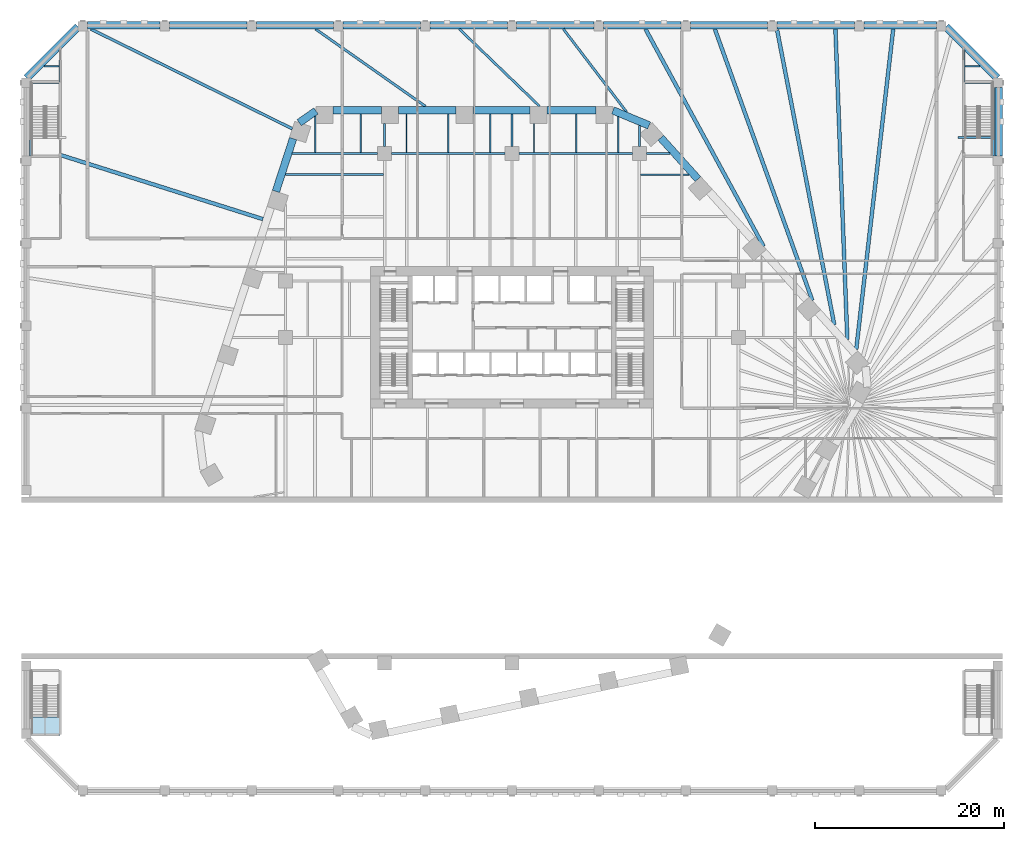
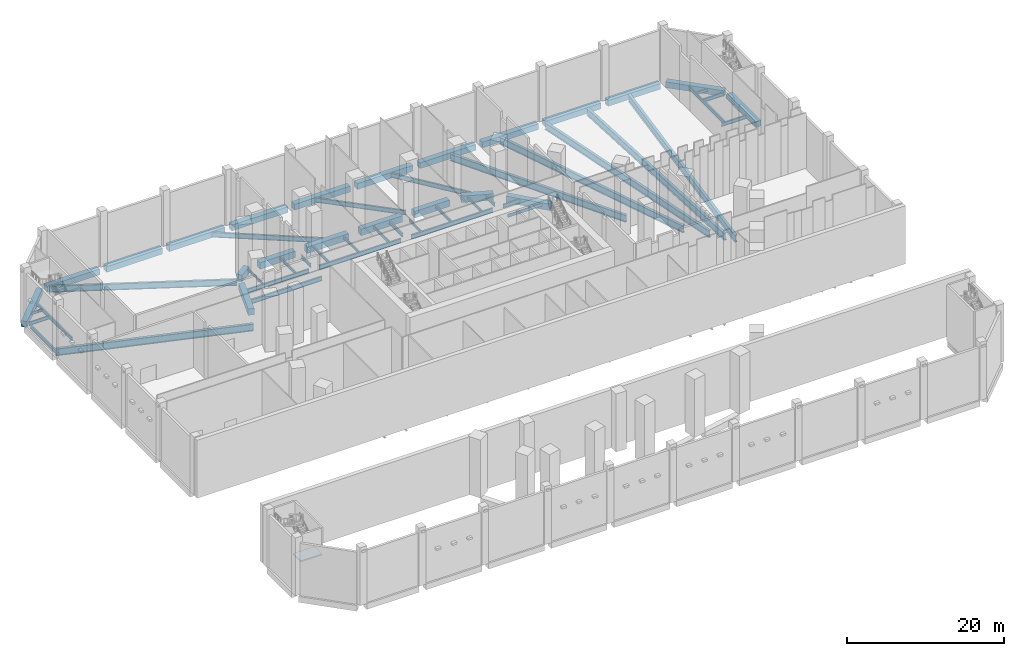
# One storey, part 4 of 23: 57 beams, 1 slab, 1 element without a shape of its own.
"""IFC4 building model written with IfcOpenShell, lengths in metres."""

from ifc_helpers import new_model, si_unit, direction, frame, origin, origin_2d, place, context, subcontext, project, spatial, polyline, rectangle, i_section, outline, extrude, material, layer, layer_set, material_profile, profile_set, type_object, element, aggregate, save


model = new_model("IFC4")

# Units and contexts
model_context = context("Model", 3, precision=1e-05, world=origin(), true_north=direction((0.0, 1.0)))
body_context = subcontext(model_context, "Body", "Model", "MODEL_VIEW")
ifc_project = project(units=[si_unit("LENGTHUNIT", "METRE"), si_unit("AREAUNIT", "SQUARE_METRE"), si_unit("VOLUMEUNIT", "CUBIC_METRE"), si_unit("PLANEANGLEUNIT", "RADIAN"), si_unit("MASSUNIT", "GRAM", prefix="KILO")], contexts=[model_context])

# Site, building, storey
site_placement = place(None, origin())
site = spatial("IfcSite", under=ifc_project, at=site_placement, CompositionType="ELEMENT")
building_placement = place(site_placement, origin())
building = spatial("IfcBuilding", under=site, at=building_placement, Name="Isthmus Gate Tower", CompositionType="ELEMENT")
storey_placement = place(building_placement, frame((0.0, 0.0, 9.0)))
storey = spatial("IfcBuildingStorey", under=building, at=storey_placement, Name="L01", CompositionType="ELEMENT", Elevation=9.0)

# Beams
ifc_material_1 = material(Name="Concrete f'c 70 MPa", Category="concrete")
ifc_material_profile_1 = material_profile(ifc_material_1, rectangle(XDim=0.800048828125, YDim=0.89990234375, at=origin_2d()), Name="RC 800X900")
ifc_profile_set_1 = profile_set([ifc_material_profile_1], Name="Concrete f'c 70 MPa")
beam_type_1 = type_object("IfcBeamType", Name="RC EDGE BEAM 800 X 900", PredefinedType="BEAM", material=ifc_profile_set_1)
beam_1_placement = place(storey_placement, frame((-51.434326171875, 35.0, -0.85009765625), z_axis=(0.707106781187, 0.707106781187, 0.0), x_axis=(-0.707106781187, 0.707106781187, 0.0)))
element("IfcBeam", 1, at=beam_1_placement, inside=storey, type_object=beam_type_1, Name="str-edgebeam-L01-08", PredefinedType="BEAM", context=body_context, shape_type="SweptSolid", body=[
    extrude(rectangle(XDim=0.800048828125, YDim=0.89990234375, at=origin_2d()), origin(), (0.0, 0.0, 1.0), 7.685302734375),
])
beam_2_placement = place(storey_placement, frame((-45.0, 40.60009765625, -0.85009765625), z_axis=(1.0, 0.0, 0.0), x_axis=(0.0, 1.0, 0.0)))
element("IfcBeam", 2, at=beam_2_placement, inside=storey, type_object=beam_type_1, Name="str-edgebeam-L01-09", PredefinedType="BEAM", context=body_context, shape_type="SweptSolid", body=[
    extrude(rectangle(XDim=0.800048828125, YDim=0.89990234375, at=origin_2d()), origin(), (0.0, 0.0, 1.0), 7.699951171875),
])
beam_3_placement = place(storey_placement, frame((-36.300048828125, 40.60009765625, -0.85009765625), z_axis=(1.0, 0.0, 0.0), x_axis=(0.0, 1.0, 0.0)))
element("IfcBeam", 3, at=beam_3_placement, inside=storey, type_object=beam_type_1, Name="str-edgebeam-L01-10", PredefinedType="BEAM", context=body_context, shape_type="SweptSolid", body=[
    extrude(rectangle(XDim=0.800048828125, YDim=0.89990234375, at=origin_2d()), origin(), (0.0, 0.0, 1.0), 8.199951171875),
])
beam_4_placement = place(storey_placement, frame((-27.10009765625, 40.60009765625, -0.85009765625), z_axis=(1.0, 0.0, 0.0), x_axis=(0.0, 1.0, 0.0)))
element("IfcBeam", 4, at=beam_4_placement, inside=storey, type_object=beam_type_1, Name="str-edgebeam-L01-11", PredefinedType="BEAM", context=body_context, shape_type="SweptSolid", body=[
    extrude(rectangle(XDim=0.800048828125, YDim=0.89990234375, at=origin_2d()), origin(), (0.0, 0.0, 1.0), 8.2001953125),
])
for number, where, z_axis, x_axis, name in (
    (5, (-17.89990234375, 40.60009765625, -0.85009765625), (1.0, 0.0, 0.0), (0.0, 1.0, 0.0), "str-edgebeam-L01-12"),
    (6, (-8.699951171875, 40.60009765625, -0.85009765625), (1.0, 0.0, 0.0), (0.0, 1.0, 0.0), "str-edgebeam-L01-13"),
    (7, (0.5, 40.60009765625, -0.85009765625), (1.0, 0.0, 0.0), (0.0, 1.0, 0.0), "str-edgebeam-L01-14"),
    (8, (9.699951171875, 40.60009765625, -0.85009765625), (1.0, 0.0, 0.0), (0.0, 1.0, 0.0), "str-edgebeam-L01-15"),
):
    element("IfcBeam", number, at=place(storey_placement, frame(where, z_axis=z_axis, x_axis=x_axis)), inside=storey, type_object=beam_type_1, Name=name, PredefinedType="BEAM", context=body_context, shape_type="SweptSolid", body=[
        extrude(rectangle(XDim=0.800048828125, YDim=0.89990234375, at=origin_2d()), origin(), (0.0, 0.0, 1.0), 8.199951171875),
    ])
beam_5_placement = place(storey_placement, frame((18.89990234375, 40.60009765625, -0.85009765625), z_axis=(1.0, 0.0, 0.0), x_axis=(0.0, 1.0, 0.0)))
element("IfcBeam", 9, at=beam_5_placement, inside=storey, type_object=beam_type_1, Name="str-edgebeam-L01-16", PredefinedType="BEAM", context=body_context, shape_type="SweptSolid", body=[
    extrude(rectangle(XDim=0.800048828125, YDim=0.89990234375, at=origin_2d()), origin(), (0.0, 0.0, 1.0), 8.2001953125),
])
beam_6_placement = place(storey_placement, frame((28.10009765625, 40.60009765625, -0.85009765625), z_axis=(1.0, 0.0, 0.0), x_axis=(0.0, 1.0, 0.0)))
element("IfcBeam", 10, at=beam_6_placement, inside=storey, type_object=beam_type_1, Name="str-edgebeam-L01-17", PredefinedType="BEAM", context=body_context, shape_type="SweptSolid", body=[
    extrude(rectangle(XDim=0.800048828125, YDim=0.89990234375, at=origin_2d()), origin(), (0.0, 0.0, 1.0), 8.199951171875),
])
beam_7_placement = place(storey_placement, frame((37.300048828125, 40.60009765625, -0.85009765625), z_axis=(1.0, 0.0, 0.0), x_axis=(0.0, 1.0, 0.0)))
element("IfcBeam", 11, at=beam_7_placement, inside=storey, type_object=beam_type_1, Name="str-edgebeam-L01-18", PredefinedType="BEAM", context=body_context, shape_type="SweptSolid", body=[
    extrude(rectangle(XDim=0.800048828125, YDim=0.89990234375, at=origin_2d()), origin(), (0.0, 0.0, 1.0), 7.699951171875),
])
beam_8_placement = place(storey_placement, frame((46.0, 40.434326171875, -0.85009765625), z_axis=(0.707106781187, -0.707106781187, 0.0), x_axis=(0.707106781187, 0.707106781187, 0.0)))
element("IfcBeam", 12, at=beam_8_placement, inside=storey, type_object=beam_type_1, Name="str-edgebeam-L01-19", PredefinedType="BEAM", context=body_context, shape_type="SweptSolid", body=[
    extrude(rectangle(XDim=0.800048828125, YDim=0.89990234375, at=origin_2d()), origin(), (0.0, 0.0, 1.0), 7.685302734375),
])
beam_9_placement = place(storey_placement, frame((51.60009765625, 34.0, -0.85009765625), z_axis=(0.0, -1.0, 0.0), x_axis=(1.0, 0.0, 0.0)))
element("IfcBeam", 13, at=beam_9_placement, inside=storey, type_object=beam_type_1, Name="str-edgebeam-L01-20", PredefinedType="BEAM", context=body_context, shape_type="SweptSolid", body=[
    extrude(rectangle(XDim=0.800048828125, YDim=0.89990234375, at=origin_2d()), origin(), (0.0, 0.0, 1.0), 7.25),
])
ifc_material_2 = material(Name="Concrete f'c 70 MPa", Category="concrete")
ifc_material_profile_2 = material_profile(ifc_material_2, rectangle(XDim=0.800048828125, YDim=1.0, at=origin_2d()), Name="RC 800X1000")
ifc_profile_set_2 = profile_set([ifc_material_profile_2], Name="Concrete f'c 70 MPa")
beam_type_2 = type_object("IfcBeamType", Name="RC TUBE RING BEAM 800 X 1000", PredefinedType="BEAM", material=ifc_profile_set_2)
beam_10_placement = place(storey_placement, frame((10.701904296875, 31.56689453125, -0.89990234375), z_axis=(0.923334166719, -0.383997417399, 0.0), x_axis=(0.383997417399, 0.923334166719, 0.0)))
element("IfcBeam", 14, at=beam_10_placement, inside=storey, type_object=beam_type_2, Name="str-ringbeam-L01-00", PredefinedType="BEAM", context=body_context, shape_type="SweptSolid", body=[
    extrude(rectangle(XDim=0.800048828125, YDim=1.0, at=origin_2d()), origin(), (0.0, 0.0, 1.0), 4.15234375),
])
for number, where, z_axis, x_axis, name in (
    (15, (15.772216796875, 28.66357421875, -0.89990234375), (0.669141061586, -0.743135411415, 0.0), (0.743135411415, 0.669141061586, 0.0), "str-ringbeam-L01-01"),
    (16, (-25.02490234375, 22.978271484375, -0.89990234375), (0.309042953764, 0.951048081187, 0.0), (-0.951048081187, 0.309042953764, 0.0), "str-ringbeam-L01-18"),
):
    element("IfcBeam", number, at=place(storey_placement, frame(where, z_axis=z_axis, x_axis=x_axis)), inside=storey, type_object=beam_type_2, Name=name, PredefinedType="BEAM", context=body_context, shape_type="SweptSolid", body=[
        extrude(rectangle(XDim=0.800048828125, YDim=1.0, at=origin_2d()), origin(), (0.0, 0.0, 1.0), 5.889404296875),
    ])
beam_11_placement = place(storey_placement, frame((-22.553466796875, 30.260498046875, -0.89990234375), z_axis=(0.817857331203, 0.575421050882, 0.0), x_axis=(-0.575421050882, 0.817857331203, 0.0)))
element("IfcBeam", 17, at=beam_11_placement, inside=storey, type_object=beam_type_2, Name="str-ringbeam-L01-19", PredefinedType="BEAM", context=body_context, shape_type="SweptSolid", body=[
    extrude(rectangle(XDim=0.800048828125, YDim=1.0, at=origin_2d()), origin(), (0.0, 0.0, 1.0), 2.173095703125),
])
beam_12_placement = place(storey_placement, frame((-18.976318359375, 31.60009765625, -0.89990234375), z_axis=(1.0, 0.0, 0.0), x_axis=(0.0, 1.0, 0.0)))
element("IfcBeam", 18, at=beam_12_placement, inside=storey, type_object=beam_type_2, Name="str-ringbeam-L01-20", PredefinedType="BEAM", context=body_context, shape_type="SweptSolid", body=[
    extrude(rectangle(XDim=0.800048828125, YDim=1.0, at=origin_2d()), origin(), (0.0, 0.0, 1.0), 5.169677734375),
])
beam_13_placement = place(storey_placement, frame((-12.006591796875, 31.60009765625, -0.89990234375), z_axis=(1.0, 0.0, 0.0), x_axis=(0.0, 1.0, 0.0)))
element("IfcBeam", 19, at=beam_13_placement, inside=storey, type_object=beam_type_2, Name="str-ringbeam-L01-21", PredefinedType="BEAM", context=body_context, shape_type="SweptSolid", body=[
    extrude(rectangle(XDim=0.800048828125, YDim=1.0, at=origin_2d()), origin(), (0.0, 0.0, 1.0), 6.0693359375),
])
beam_14_placement = place(storey_placement, frame((-4.13720703125, 31.60009765625, -0.89990234375), z_axis=(1.0, 0.0, 0.0), x_axis=(0.0, 1.0, 0.0)))
element("IfcBeam", 20, at=beam_14_placement, inside=storey, type_object=beam_type_2, Name="str-ringbeam-L01-22", PredefinedType="BEAM", context=body_context, shape_type="SweptSolid", body=[
    extrude(rectangle(XDim=0.800048828125, YDim=1.0, at=origin_2d()), origin(), (0.0, 0.0, 1.0), 6.069580078125),
])
beam_15_placement = place(storey_placement, frame((3.732421875, 31.60009765625, -0.89990234375), z_axis=(1.0, 0.0, 0.0), x_axis=(0.0, 1.0, 0.0)))
element("IfcBeam", 21, at=beam_15_placement, inside=storey, type_object=beam_type_2, Name="str-ringbeam-L01-23", PredefinedType="BEAM", context=body_context, shape_type="SweptSolid", body=[
    extrude(rectangle(XDim=0.800048828125, YDim=1.0, at=origin_2d()), origin(), (0.0, 0.0, 1.0), 5.16943359375),
])
ifc_material_3 = material(Name="Structural steel ASTM A992 Gr 50", Category="steel")
ifc_material_profile_3 = material_profile(ifc_material_3, i_section(OverallWidth=0.1396484375, OverallDepth=0.4033203125, WebThickness=0.00634765625, FlangeThickness=0.010986328125, at=origin_2d()), Name="W16X31")
ifc_profile_set_3 = profile_set([ifc_material_profile_3], Name="Structural steel ASTM A992 Gr 50")
beam_type_3 = type_object("IfcBeamType", Name="STEEL FLOOR BEAM W16X31", PredefinedType="JOIST", material=ifc_profile_set_3)
beam_16_placement = place(storey_placement, frame((-49.616943359375, 36.25146484375, -0.6015625), z_axis=(1.0, 0.0, 0.0), x_axis=(0.0, 1.0, 0.0)))
element("IfcBeam", 22, at=beam_16_placement, inside=storey, type_object=beam_type_3, Name="str-beam-L01-05-00", PredefinedType="JOIST", context=body_context, shape_type="SweptSolid", body=[
    extrude(i_section(OverallWidth=0.1396484375, OverallDepth=0.4033203125, WebThickness=0.00634765625, FlangeThickness=0.010986328125, at=origin_2d()), origin(), (0.0, 0.0, 1.0), 1.616943359375),
])
beam_17_placement = place(storey_placement, frame((-20.846435546875, 27.1142578125, -0.6015625), z_axis=(0.0, 1.0, 0.0), x_axis=(-1.0, 0.0, 0.0)))
element("IfcBeam", 23, at=beam_17_placement, inside=storey, type_object=beam_type_3, Name="str-beam-L01-09-00", PredefinedType="JOIST", context=body_context, shape_type="SweptSolid", body=[
    extrude(i_section(OverallWidth=0.1396484375, OverallDepth=0.4033203125, WebThickness=0.00634765625, FlangeThickness=0.010986328125, at=origin_2d()), origin(), (0.0, 0.0, 1.0), 3.858154296875),
])
beam_18_placement = place(storey_placement, frame((2.33740234375, 27.126953125, -0.6015625), z_axis=(0.0, 1.0, 0.0), x_axis=(-1.0, 0.0, 0.0)))
element("IfcBeam", 24, at=beam_18_placement, inside=storey, type_object=beam_type_3, Name="str-beam-L01-14-00", PredefinedType="JOIST", context=body_context, shape_type="SweptSolid", body=[
    extrude(i_section(OverallWidth=0.1396484375, OverallDepth=0.4033203125, WebThickness=0.00634765625, FlangeThickness=0.010986328125, at=origin_2d()), origin(), (0.0, 0.0, 1.0), 3.072998046875),
])
beam_19_placement = place(storey_placement, frame((11.267578125, 27.126953125, -0.6015625), z_axis=(0.0, 1.0, 0.0), x_axis=(-1.0, 0.0, 0.0)))
element("IfcBeam", 25, at=beam_19_placement, inside=storey, type_object=beam_type_3, Name="str-beam-L01-14-02", PredefinedType="JOIST", context=body_context, shape_type="SweptSolid", body=[
    extrude(i_section(OverallWidth=0.1396484375, OverallDepth=0.4033203125, WebThickness=0.00634765625, FlangeThickness=0.010986328125, at=origin_2d()), origin(), (0.0, 0.0, 1.0), 3.771484375),
])
beam_20_placement = place(storey_placement, frame((48.0, 36.25146484375, -0.6015625), z_axis=(1.0, 0.0, 0.0), x_axis=(0.0, 1.0, 0.0)))
element("IfcBeam", 26, at=beam_20_placement, inside=storey, type_object=beam_type_3, Name="str-beam-L01-22-00", PredefinedType="JOIST", context=body_context, shape_type="SweptSolid", body=[
    extrude(i_section(OverallWidth=0.1396484375, OverallDepth=0.4033203125, WebThickness=0.00634765625, FlangeThickness=0.010986328125, at=origin_2d()), origin(), (0.0, 0.0, 1.0), 1.616943359375),
])
ifc_material_4 = material(Name="Structural steel ASTM A992 Gr 50", Category="steel")
ifc_material_profile_4 = material_profile(ifc_material_4, i_section(OverallWidth=0.15234375, OverallDepth=0.45068359375, WebThickness=0.0078125, FlangeThickness=0.010986328125, at=origin_2d()), Name="W18X35")
ifc_profile_set_4 = profile_set([ifc_material_profile_4], Name="Structural steel ASTM A992 Gr 50")
beam_type_4 = type_object("IfcBeamType", Name="STEEL FLOOR BEAM W18X35", PredefinedType="JOIST", material=ifc_profile_set_4)
beam_21_placement = place(storey_placement, frame((-16.0185546875, 27.1142578125, -0.62548828125), z_axis=(0.0, 1.0, 0.0), x_axis=(-1.0, 0.0, 0.0)))
element("IfcBeam", 27, at=beam_21_placement, inside=storey, type_object=beam_type_4, Name="str-beam-L01-09-01", PredefinedType="JOIST", context=body_context, shape_type="SweptSolid", body=[
    extrude(i_section(OverallWidth=0.15234375, OverallDepth=0.45068359375, WebThickness=0.0078125, FlangeThickness=0.010986328125, at=origin_2d()), origin(), (0.0, 0.0, 1.0), 4.085693359375),
])
for number, where, z_axis, x_axis, name in (
    (28, (-11.18017578125, 27.126953125, -0.62548828125), (0.0, 1.0, 0.0), (-1.0, 0.0, 0.0), "str-beam-L01-11-00"),
    (29, (-6.75, 27.126953125, -0.62548828125), (0.0, 1.0, 0.0), (-1.0, 0.0, 0.0), "str-beam-L01-11-01"),
    (30, (-2.31982421875, 27.126953125, -0.62548828125), (0.0, 1.0, 0.0), (-1.0, 0.0, 0.0), "str-beam-L01-11-02"),
    (31, (6.802490234375, 27.126953125, -0.62548828125), (0.0, 1.0, 0.0), (-1.0, 0.0, 0.0), "str-beam-L01-14-01"),
):
    element("IfcBeam", number, at=place(storey_placement, frame(where, z_axis=z_axis, x_axis=x_axis)), inside=storey, type_object=beam_type_4, Name=name, PredefinedType="JOIST", context=body_context, shape_type="SweptSolid", body=[
        extrude(i_section(OverallWidth=0.15234375, OverallDepth=0.45068359375, WebThickness=0.0078125, FlangeThickness=0.010986328125, at=origin_2d()), origin(), (0.0, 0.0, 1.0), 4.072998046875),
    ])
beam_22_placement = place(storey_placement, frame((13.626953125, 24.76904296875, -0.62548828125), z_axis=(1.0, 0.0, 0.0), x_axis=(0.0, 1.0, 0.0)))
element("IfcBeam", 32, at=beam_22_placement, inside=storey, type_object=beam_type_4, Name="str-beam-L01-18-02", PredefinedType="JOIST", context=body_context, shape_type="SweptSolid", body=[
    extrude(i_section(OverallWidth=0.15234375, OverallDepth=0.45068359375, WebThickness=0.0078125, FlangeThickness=0.010986328125, at=origin_2d()), origin(), (0.0, 0.0, 1.0), 5.11376953125),
])
ifc_material_5 = material(Name="Structural steel ASTM A992 Gr 50", Category="steel")
ifc_material_profile_5 = material_profile(ifc_material_5, i_section(OverallWidth=0.25390625, OverallDepth=0.679443359375, WebThickness=0.010986328125, FlangeThickness=0.015869140625, at=origin_2d()), Name="W27X84")
ifc_profile_set_5 = profile_set([ifc_material_profile_5], Name="Structural steel ASTM A992 Gr 50")
beam_type_5 = type_object("IfcBeamType", Name="STEEL FLOOR BEAM W27X84", PredefinedType="JOIST", material=ifc_profile_set_5)
beam_23_placement = place(storey_placement, frame((-24.0224609375, 24.76904296875, -0.73974609375), z_axis=(1.0, 0.0, 0.0), x_axis=(0.0, 1.0, 0.0)))
element("IfcBeam", 33, at=beam_23_placement, inside=storey, type_object=beam_type_5, Name="str-beam-L01-08-02", PredefinedType="JOIST", context=body_context, shape_type="SweptSolid", body=[
    extrude(i_section(OverallWidth=0.25390625, OverallDepth=0.679443359375, WebThickness=0.010986328125, FlangeThickness=0.015869140625, at=origin_2d()), origin(), (0.0, 0.0, 1.0), 10.3955078125),
])
beam_24_placement = place(storey_placement, frame((12.145751953125, 31.399658203125, -0.73974609375), z_axis=(-0.6062299917, 0.795289379511, 0.0), x_axis=(-0.795289379511, -0.6062299917, 0.0)))
element("IfcBeam", 34, at=beam_24_placement, inside=storey, type_object=beam_type_5, Name="str-beam-L01-13-20", PredefinedType="JOIST", context=body_context, shape_type="SweptSolid", body=[
    extrude(i_section(OverallWidth=0.25390625, OverallDepth=0.679443359375, WebThickness=0.010986328125, FlangeThickness=0.015869140625, at=origin_2d()), origin(), (0.0, 0.0, 1.0), 11.0654296875),
])
beam_25_placement = place(storey_placement, frame((2.929443359375, 32.0, -0.73974609375), z_axis=(-0.7205207644, 0.693433362385, 0.0), x_axis=(-0.693433362385, -0.7205207644, 0.0)))
element("IfcBeam", 35, at=beam_25_placement, inside=storey, type_object=beam_type_5, Name="str-beam-L01-13-22", PredefinedType="JOIST", context=body_context, shape_type="SweptSolid", body=[
    extrude(i_section(OverallWidth=0.25390625, OverallDepth=0.679443359375, WebThickness=0.010986328125, FlangeThickness=0.015869140625, at=origin_2d()), origin(), (0.0, 0.0, 1.0), 11.8251953125),
])
ifc_material_6 = material(Name="Structural steel ASTM A992 Gr 50", Category="steel")
ifc_material_profile_6 = material_profile(ifc_material_6, i_section(OverallWidth=0.2666015625, OverallDepth=0.7587890625, WebThickness=0.014404296875, FlangeThickness=0.01904296875, at=origin_2d()), Name="W30X108")
ifc_profile_set_6 = profile_set([ifc_material_profile_6], Name="Structural steel ASTM A992 Gr 50")
beam_type_6 = type_object("IfcBeamType", Name="STEEL FLOOR BEAM W30X108", PredefinedType="JOIST", material=ifc_profile_set_6)
beam_26_placement = place(storey_placement, frame((-9.177978515625, 32.0, -0.779296875), z_axis=(-0.817931803777, 0.57531518698, 0.0), x_axis=(-0.57531518698, -0.817931803777, 0.0)))
element("IfcBeam", 36, at=beam_26_placement, inside=storey, type_object=beam_type_6, Name="str-beam-L01-13-24", PredefinedType="JOIST", context=body_context, shape_type="SweptSolid", body=[
    extrude(i_section(OverallWidth=0.2666015625, OverallDepth=0.7587890625, WebThickness=0.014404296875, FlangeThickness=0.01904296875, at=origin_2d()), origin(), (0.0, 0.0, 1.0), 14.2529296875),
])
ifc_material_7 = material(Name="Structural steel ASTM A992 Gr 50", Category="steel")
ifc_material_profile_7 = material_profile(ifc_material_7, i_section(OverallWidth=0.29833984375, OverallDepth=0.981201171875, WebThickness=0.015869140625, FlangeThickness=0.025390625, at=origin_2d()), Name="W40X167")
ifc_profile_set_7 = profile_set([ifc_material_profile_7], Name="Structural steel ASTM A992 Gr 50")
beam_type_7 = type_object("IfcBeamType", Name="STEEL FLOOR BEAM W40X167", PredefinedType="JOIST", material=ifc_profile_set_7)
beam_27_placement = place(storey_placement, frame((-23.2880859375, 29.617919921875, -0.890625), z_axis=(-0.896166821681, 0.443717283547, 0.0), x_axis=(-0.443717283547, -0.896166821681, 0.0)))
element("IfcBeam", 37, at=beam_27_placement, inside=storey, type_object=beam_type_7, Name="str-beam-L01-13-26", PredefinedType="JOIST", context=body_context, shape_type="SweptSolid", body=[
    extrude(i_section(OverallWidth=0.29833984375, OverallDepth=0.981201171875, WebThickness=0.015869140625, FlangeThickness=0.025390625, at=origin_2d()), origin(), (0.0, 0.0, 1.0), 23.8486328125),
])
ifc_material_8 = material(Name="Structural steel ASTM A992 Gr 50", Category="steel")
ifc_material_profile_8 = material_profile(ifc_material_8, i_section(OverallWidth=0.39990234375, OverallDepth=1.089111328125, WebThickness=0.017578125, FlangeThickness=0.03173828125, at=origin_2d()), Name="W44X230")
ifc_profile_set_8 = profile_set([ifc_material_profile_8], Name="Structural steel ASTM A992 Gr 50")
beam_type_8 = type_object("IfcBeamType", Name="STEEL FLOOR BEAM W44X230", PredefinedType="JOIST", material=ifc_profile_set_8)
beam_28_placement = place(storey_placement, frame((36.48876953125, 6.253173828125, -0.944580078125), z_axis=(0.11468918965, 0.993401424288, 0.0), x_axis=(-0.993401424288, 0.11468918965, 0.0)))
element("IfcBeam", 38, at=beam_28_placement, inside=storey, type_object=beam_type_8, Name="str-beam-L01-13-10", PredefinedType="JOIST", context=body_context, shape_type="SweptSolid", body=[
    extrude(i_section(OverallWidth=0.39990234375, OverallDepth=1.089111328125, WebThickness=0.017578125, FlangeThickness=0.03173828125, at=origin_2d()), origin(), (0.0, 0.0, 1.0), 34.17236328125),
])
beam_29_placement = place(storey_placement, frame((35.5419921875, 7.304931640625, -0.944580078125), z_axis=(-0.038305520887, 0.999266074211, 0.0), x_axis=(-0.999266074211, -0.038305520887, 0.0)))
element("IfcBeam", 39, at=beam_29_placement, inside=storey, type_object=beam_type_8, Name="str-beam-L01-13-12", PredefinedType="JOIST", context=body_context, shape_type="SweptSolid", body=[
    extrude(i_section(OverallWidth=0.39990234375, OverallDepth=1.089111328125, WebThickness=0.017578125, FlangeThickness=0.03173828125, at=origin_2d()), origin(), (0.0, 0.0, 1.0), 32.919189453125),
])
beam_30_placement = place(storey_placement, frame((34.1640625, 8.835205078125, -0.944580078125), z_axis=(-0.190388932387, 0.981708742155, 0.0), x_axis=(-0.981708742155, -0.190388932387, 0.0)))
element("IfcBeam", 40, at=beam_30_placement, inside=storey, type_object=beam_type_8, Name="str-beam-L01-13-14", PredefinedType="JOIST", context=body_context, shape_type="SweptSolid", body=[
    extrude(i_section(OverallWidth=0.39990234375, OverallDepth=1.089111328125, WebThickness=0.017578125, FlangeThickness=0.03173828125, at=origin_2d()), origin(), (0.0, 0.0, 1.0), 31.850341796875),
])
beam_31_placement = place(storey_placement, frame((31.833984375, 11.423095703125, -0.944580078125), z_axis=(-0.338018180935, 0.941139580167, 0.0), x_axis=(-0.941139580167, -0.338018180935, 0.0)))
element("IfcBeam", 41, at=beam_31_placement, inside=storey, type_object=beam_type_8, Name="str-beam-L01-13-16", PredefinedType="JOIST", context=body_context, shape_type="SweptSolid", body=[
    extrude(i_section(OverallWidth=0.39990234375, OverallDepth=1.089111328125, WebThickness=0.017578125, FlangeThickness=0.03173828125, at=origin_2d()), origin(), (0.0, 0.0, 1.0), 30.57666015625),
])
beam_32_placement = place(storey_placement, frame((26.67578125, 17.15185546875, -0.944580078125), z_axis=(-0.477721171073, 0.878511515411, 0.0), x_axis=(-0.878511515411, -0.477721171073, 0.0)))
element("IfcBeam", 42, at=beam_32_placement, inside=storey, type_object=beam_type_8, Name="str-beam-L01-13-18", PredefinedType="JOIST", context=body_context, shape_type="SweptSolid", body=[
    extrude(i_section(OverallWidth=0.39990234375, OverallDepth=1.089111328125, WebThickness=0.017578125, FlangeThickness=0.03173828125, at=origin_2d()), origin(), (0.0, 0.0, 1.0), 26.2353515625),
])
beam_33_placement = place(storey_placement, frame((-26.39892578125, 20.0439453125, -0.944580078125), z_axis=(-0.953394918688, 0.301725254196, 0.0), x_axis=(-0.301725254196, -0.953394918688, 0.0)))
element("IfcBeam", 43, at=beam_33_placement, inside=storey, type_object=beam_type_8, Name="str-beam-L01-13-28", PredefinedType="JOIST", context=body_context, shape_type="SweptSolid", body=[
    extrude(i_section(OverallWidth=0.39990234375, OverallDepth=1.089111328125, WebThickness=0.017578125, FlangeThickness=0.03173828125, at=origin_2d()), origin(), (0.0, 0.0, 1.0), 25.751220703125),
])
ifc_material_9 = material(Name="Structural steel ASTM A992 Gr 50", Category="steel")
ifc_material_profile_9 = material_profile(ifc_material_9, i_section(OverallWidth=0.20947265625, OverallDepth=0.533447265625, WebThickness=0.009521484375, FlangeThickness=0.015869140625, at=origin_2d()), Name="W21X62")
ifc_profile_set_9 = profile_set([ifc_material_profile_9], Name="Structural steel ASTM A992 Gr 50")
beam_type_9 = type_object("IfcBeamType", Name="STEEL GIRDER W21X62", PredefinedType="BEAM", material=ifc_profile_set_9)
beam_34_placement = place(storey_placement, frame((14.25, 27.0, -0.666748046875), z_axis=(1.0, 0.0, 0.0), x_axis=(0.0, 1.0, 0.0)))
element("IfcBeam", 44, at=beam_34_placement, inside=storey, type_object=beam_type_9, Name="str-girder-L01-11", PredefinedType="BEAM", context=body_context, shape_type="SweptSolid", body=[
    extrude(i_section(OverallWidth=0.20947265625, OverallDepth=0.533447265625, WebThickness=0.009521484375, FlangeThickness=0.015869140625, at=origin_2d()), origin(), (0.0, 0.0, 1.0), 2.48193359375),
])
beam_35_placement = place(storey_placement, frame((-13.5, 27.75, -0.666748046875), z_axis=(0.0, 1.0, 0.0), x_axis=(-1.0, 0.0, 0.0)))
element("IfcBeam", 45, at=beam_35_placement, inside=storey, type_object=beam_type_9, Name="str-girder-L01-16", PredefinedType="BEAM", context=body_context, shape_type="SweptSolid", body=[
    extrude(i_section(OverallWidth=0.20947265625, OverallDepth=0.533447265625, WebThickness=0.009521484375, FlangeThickness=0.015869140625, at=origin_2d()), origin(), (0.0, 0.0, 1.0), 2.449951171875),
])
beam_36_placement = place(storey_placement, frame((0.0, 27.75, -0.666748046875), z_axis=(0.0, 1.0, 0.0), x_axis=(-1.0, 0.0, 0.0)))
element("IfcBeam", 46, at=beam_36_placement, inside=storey, type_object=beam_type_9, Name="str-girder-L01-18", PredefinedType="BEAM", context=body_context, shape_type="SweptSolid", body=[
    extrude(i_section(OverallWidth=0.20947265625, OverallDepth=0.533447265625, WebThickness=0.009521484375, FlangeThickness=0.015869140625, at=origin_2d()), origin(), (0.0, 0.0, 1.0), 3.449951171875),
])
beam_37_placement = place(storey_placement, frame((13.5, 27.75, -0.666748046875), z_axis=(0.0, 1.0, 0.0), x_axis=(-1.0, 0.0, 0.0)))
element("IfcBeam", 47, at=beam_37_placement, inside=storey, type_object=beam_type_9, Name="str-girder-L01-20", PredefinedType="BEAM", context=body_context, shape_type="SweptSolid", body=[
    extrude(i_section(OverallWidth=0.20947265625, OverallDepth=0.533447265625, WebThickness=0.009521484375, FlangeThickness=0.015869140625, at=origin_2d()), origin(), (0.0, 0.0, 1.0), 2.219970703125),
])
ifc_material_10 = material(Name="Structural steel ASTM A992 Gr 50", Category="steel")
ifc_material_profile_10 = material_profile(ifc_material_10, i_section(OverallWidth=0.228515625, OverallDepth=0.6064453125, WebThickness=0.010986328125, FlangeThickness=0.017578125, at=origin_2d()), Name="W24X76")
ifc_profile_set_10 = profile_set([ifc_material_profile_10], Name="Structural steel ASTM A992 Gr 50")
beam_type_10 = type_object("IfcBeamType", Name="STEEL GIRDER W24X76", PredefinedType="BEAM", material=ifc_profile_set_10)
beam_38_placement = place(storey_placement, frame((-23.297607421875, 27.0, -0.703125), z_axis=(1.0, 0.0, 0.0), x_axis=(0.0, 1.0, 0.0)))
element("IfcBeam", 48, at=beam_38_placement, inside=storey, type_object=beam_type_10, Name="str-girder-L01-08", PredefinedType="BEAM", context=body_context, shape_type="SweptSolid", body=[
    extrude(i_section(OverallWidth=0.228515625, OverallDepth=0.6064453125, WebThickness=0.010986328125, FlangeThickness=0.017578125, at=origin_2d()), origin(), (0.0, 0.0, 1.0), 9.047607421875),
])
ifc_material_11 = material(Name="Structural steel ASTM A992 Gr 50", Category="steel")
ifc_material_profile_11 = material_profile(ifc_material_11, i_section(OverallWidth=0.25390625, OverallDepth=0.679443359375, WebThickness=0.010986328125, FlangeThickness=0.015869140625, at=origin_2d()), Name="W27X84")
ifc_profile_set_11 = profile_set([ifc_material_profile_11], Name="Structural steel ASTM A992 Gr 50")
beam_type_11 = type_object("IfcBeamType", Name="STEEL GIRDER W27X84", PredefinedType="BEAM", material=ifc_profile_set_11)
for number, where, z_axis, x_axis, name in (
    (49, (-12.75, 27.0, -0.73974609375), (1.0, 0.0, 0.0), (0.0, 1.0, 0.0), "str-girder-L01-09"),
    (50, (0.75, 27.0, -0.73974609375), (1.0, 0.0, 0.0), (0.0, 1.0, 0.0), "str-girder-L01-10"),
):
    element("IfcBeam", number, at=place(storey_placement, frame(where, z_axis=z_axis, x_axis=x_axis)), inside=storey, type_object=beam_type_11, Name=name, PredefinedType="BEAM", context=body_context, shape_type="SweptSolid", body=[
        extrude(i_section(OverallWidth=0.25390625, OverallDepth=0.679443359375, WebThickness=0.010986328125, FlangeThickness=0.015869140625, at=origin_2d()), origin(), (0.0, 0.0, 1.0), 12.0),
    ])
ifc_material_12 = material(Name="Structural steel ASTM A992 Gr 50", Category="steel")
ifc_material_profile_12 = material_profile(ifc_material_12, i_section(OverallWidth=0.20947265625, OverallDepth=0.533447265625, WebThickness=0.009521484375, FlangeThickness=0.015869140625, at=origin_2d()), Name="W21X62")
ifc_profile_set_12 = profile_set([ifc_material_profile_12], Name="Structural steel ASTM A992 Gr 50")
beam_type_12 = type_object("IfcBeamType", Name="STEEL TRIMMER W21X62", PredefinedType="BEAM", material=ifc_profile_set_12)
beam_39_placement = place(storey_placement, frame((51.0546875, 26.75, -0.666748046875), z_axis=(0.0, 1.0, 0.0), x_axis=(-1.0, 0.0, 0.0)))
element("IfcBeam", 51, at=beam_39_placement, inside=storey, type_object=beam_type_12, Name="str-trimmer-L01-05", PredefinedType="BEAM", context=body_context, shape_type="SweptSolid", body=[
    extrude(i_section(OverallWidth=0.20947265625, OverallDepth=0.533447265625, WebThickness=0.009521484375, FlangeThickness=0.015869140625, at=origin_2d()), origin(), (0.0, 0.0, 1.0), 7.25),
])
for number, where, z_axis, x_axis, name in (
    (52, (47.895263671875, 37.973388671875, -0.666748046875), (0.0, -1.0, 0.0), (1.0, 0.0, 0.0), "str-trimmer-L01-06"),
    (53, (-47.895263671875, 28.824951171875, -0.666748046875), (0.0, 1.0, 0.0), (-1.0, 0.0, 0.0), "str-trimmer-L01-07"),
):
    element("IfcBeam", number, at=place(storey_placement, frame(where, z_axis=z_axis, x_axis=x_axis)), inside=storey, type_object=beam_type_12, Name=name, PredefinedType="BEAM", context=body_context, shape_type="SweptSolid", body=[
        extrude(i_section(OverallWidth=0.20947265625, OverallDepth=0.533447265625, WebThickness=0.009521484375, FlangeThickness=0.015869140625, at=origin_2d()), origin(), (0.0, 0.0, 1.0), 9.1484375),
    ])
beam_40_placement = place(storey_placement, frame((-51.0546875, 34.0, -0.666748046875), z_axis=(0.0, -1.0, 0.0), x_axis=(1.0, 0.0, 0.0)))
element("IfcBeam", 54, at=beam_40_placement, inside=storey, type_object=beam_type_12, Name="str-trimmer-L01-08", PredefinedType="BEAM", context=body_context, shape_type="SweptSolid", body=[
    extrude(i_section(OverallWidth=0.20947265625, OverallDepth=0.533447265625, WebThickness=0.009521484375, FlangeThickness=0.015869140625, at=origin_2d()), origin(), (0.0, 0.0, 1.0), 7.25),
])
beam_41_placement = place(storey_placement, frame((51.0, 34.52978515625, -0.666748046875), z_axis=(-1.0, 0.0, 0.0), x_axis=(0.0, -1.0, 0.0)))
element("IfcBeam", 55, at=beam_41_placement, inside=storey, type_object=beam_type_12, Name="str-trimmer-L01-13", PredefinedType="BEAM", context=body_context, shape_type="SweptSolid", body=[
    extrude(i_section(OverallWidth=0.20947265625, OverallDepth=0.533447265625, WebThickness=0.009521484375, FlangeThickness=0.015869140625, at=origin_2d()), origin(), (0.0, 0.0, 1.0), 3.0),
])
beam_42_placement = place(storey_placement, frame((47.300048828125, 28.72021484375, -0.666748046875), z_axis=(1.0, 0.0, 0.0), x_axis=(0.0, 1.0, 0.0)))
element("IfcBeam", 56, at=beam_42_placement, inside=storey, type_object=beam_type_12, Name="str-trimmer-L01-14", PredefinedType="BEAM", context=body_context, shape_type="SweptSolid", body=[
    extrude(i_section(OverallWidth=0.20947265625, OverallDepth=0.533447265625, WebThickness=0.009521484375, FlangeThickness=0.015869140625, at=origin_2d()), origin(), (0.0, 0.0, 1.0), 3.64990234375),
])
beam_43_placement = place(storey_placement, frame((-48.0, 34.52978515625, -0.666748046875), z_axis=(-1.0, 0.0, 0.0), x_axis=(0.0, -1.0, 0.0)))
element("IfcBeam", 57, at=beam_43_placement, inside=storey, type_object=beam_type_12, Name="str-trimmer-L01-15", PredefinedType="BEAM", context=body_context, shape_type="SweptSolid", body=[
    extrude(i_section(OverallWidth=0.20947265625, OverallDepth=0.533447265625, WebThickness=0.009521484375, FlangeThickness=0.015869140625, at=origin_2d()), origin(), (0.0, 0.0, 1.0), 3.0),
])

# Stair, slab
ifc_material_13 = material(Name="Concrete f'c 40 MPa", Category="concrete")
stair_type = type_object("IfcStairType", Name="Podium exit stair 1400 wide flights", PredefinedType="HALF_TURN_STAIR", material=ifc_material_13)
stair_placement = place(storey_placement, origin())
stair = element("IfcStair", 58, at=stair_placement, inside=storey, type_object=stair_type, Name="L01 Podium Exit Stair ST3", PredefinedType="HALF_TURN_STAIR")
ifc_material_14 = material(Name="Concrete f'c 40 MPa", Category="concrete")
ifc_layer = layer(ifc_material_14, 0.199951171875)
ifc_layer_set = layer_set([ifc_layer], Name="Podium stair landing 200")
slab_type = type_object("IfcSlabType", Name="Podium stair landing 200", PredefinedType="LANDING", material=ifc_layer_set)
slab_placement = place(storey_placement, frame((0.0, 0.0, 4.300048828125)))
slab = element("IfcSlab", 59, at=slab_placement, type_object=slab_type, Name="ST3 landing 2", PredefinedType="LANDING", context=body_context, shape_type="SweptSolid", body=[
    extrude(outline(polyline([(-47.89990234375, -34.675048828125), (-47.89990234375, -32.72509765625), (-51.050048828125, -32.72509765625), (-51.050048828125, -34.675048828125), (-47.89990234375, -34.675048828125)])), origin(), (0.0, 0.0, 1.0), 0.199951171875),
])
aggregate(stair, [slab])

save(model, "model.ifc")
